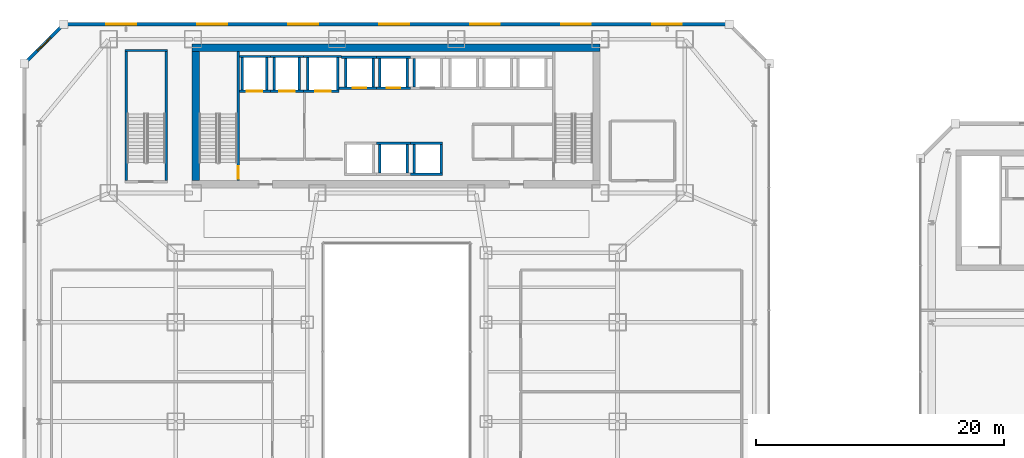
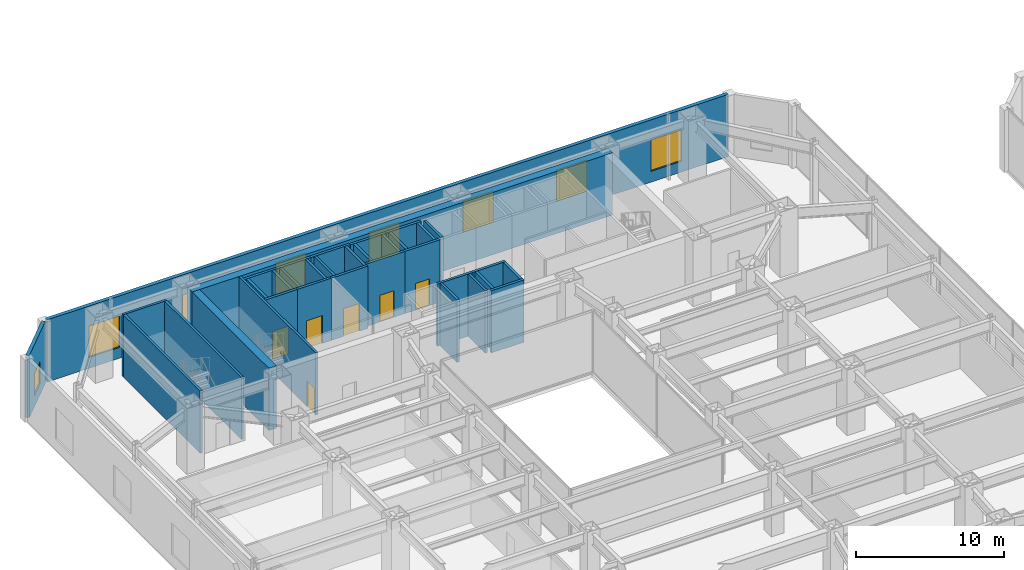
# One storey, part 44 of 53: 36 walls, 8 windows, 6 doors, 14 openings.
"""IFC4 building model written with IfcOpenShell, lengths in metres."""

import ifcopenshell
import ifcopenshell.guid

model = None  # the IFC model being written
_history = None  # IfcOwnerHistory: only IFC2X3 demands one
_inside = {}  # id of a spatial element -> (the spatial element, [elements in it])
_under = {}  # id of a project, library or spatial element -> (it, [spatial elements below it])
_declared = {}  # id of a project -> (the project, [libraries it declares])
_typed = {}  # id of a type object -> (the type object, [elements of that type])
_made_of = {}  # id of a material, layer set ... -> (it, [elements and type objects made of it])


def new_model(schema):
    """Start an empty IFC model of exactly this schema.

    Asked for "IFC4X3", IfcOpenShell would pick the latest addendum, in which some entities
    have other attributes; the version numbers below select the first issue.
    IFC2X3 requires an IfcOwnerHistory on every rooted entity: one is made here for all.
    """
    global model, _history
    if schema == "IFC4X3":
        model = ifcopenshell.file(schema_version=(4, 3, 0, 0))
    else:
        model = ifcopenshell.file(schema=schema)
    _inside.clear()
    _under.clear()
    _declared.clear()
    _typed.clear()
    _made_of.clear()
    _history = None
    if model.schema == "IFC2X3":
        org = make("IfcOrganization", Name="unknown")
        user = make(
            "IfcPersonAndOrganization",
            ThePerson=make("IfcPerson", FamilyName="unknown"),
            TheOrganization=org,
        )
        app = make(
            "IfcApplication",
            ApplicationDeveloper=org,
            Version="unknown",
            ApplicationFullName="unknown",
            ApplicationIdentifier="unknown",
        )
        _history = make(
            "IfcOwnerHistory",
            OwningUser=user,
            OwningApplication=app,
            ChangeAction="ADDED",
            CreationDate=0,
        )
    return model


def make(cls, **values):
    """One entity of the class cls with the attributes given. An attribute that is None is left unset."""
    return model.create_entity(
        cls, **{name: value for name, value in values.items() if value is not None}
    )


def rooted(cls, **values):
    """An entity with a GlobalId (a new one), such as an element, a storey or a relation."""
    return make(cls, GlobalId=ifcopenshell.guid.new(), OwnerHistory=_history, **values)


def si_unit(unit_type, name, prefix=None):
    """IfcSIUnit, for example si_unit("LENGTHUNIT", "METRE", prefix="MILLI")."""
    return make("IfcSIUnit", UnitType=unit_type, Prefix=prefix, Name=name)


def assignment(units):
    """IfcUnitAssignment: the units of a project."""
    return None if units is None else make("IfcUnitAssignment", Units=units)


def point(xyz):
    """IfcCartesianPoint."""
    return None if xyz is None else make("IfcCartesianPoint", Coordinates=xyz)


def direction(xyz):
    """IfcDirection."""
    return None if xyz is None else make("IfcDirection", DirectionRatios=xyz)


def frame(location, z_axis=None, x_axis=None):
    """IfcAxis2Placement3D, a coordinate frame: its origin and axes. An axis left out is left unset."""
    return make(
        "IfcAxis2Placement3D",
        Location=point(location),
        Axis=direction(z_axis),
        RefDirection=direction(x_axis),
    )


def frame_2d(location, x_axis=None):
    """IfcAxis2Placement2D, a coordinate frame in the plane: its origin and x axis."""
    return make(
        "IfcAxis2Placement2D", Location=point(location), RefDirection=direction(x_axis)
    )


def origin():
    """The frame at (0, 0, 0) with its axes left unset."""
    return frame((0.0, 0.0, 0.0))


def place(relative_to, where):
    """IfcLocalPlacement: puts the frame where relative to a parent placement (None: the world)."""
    return make(
        "IfcLocalPlacement", PlacementRelTo=relative_to, RelativePlacement=where
    )


def context(
    kind, dimensions, precision=None, world=None, true_north=None, identifier=None
):
    """IfcGeometricRepresentationContext, for example the 3D "Model" context."""
    return make(
        "IfcGeometricRepresentationContext",
        ContextIdentifier=identifier,
        ContextType=kind,
        CoordinateSpaceDimension=dimensions,
        Precision=precision,
        WorldCoordinateSystem=world,
        TrueNorth=true_north,
    )


def subcontext(parent, identifier, kind, view, scale=None):
    """IfcGeometricRepresentationSubContext, for example "Body" below "Model"."""
    return make(
        "IfcGeometricRepresentationSubContext",
        ContextIdentifier=identifier,
        ContextType=kind,
        ParentContext=parent,
        TargetScale=scale,
        TargetView=view,
    )


def project(units=None, contexts=None):
    """IfcProject with its units and contexts."""
    return rooted(
        "IfcProject",
        Name="project",
        RepresentationContexts=contexts,
        UnitsInContext=assignment(units),
    )


def spatial(cls, under=None, at=None, **own):
    """A site, building, storey or space (cls), placed at a placement, below another one or the project."""
    s = rooted(cls, ObjectPlacement=at, **own)
    if under is not None:
        _under.setdefault(under.id(), (under, []))[1].append(s)
    return s


def profile(cls, at=None, kind="AREA", **sizes):
    """A parametric profile (cls). Its sizes go by their IFC names, for example OverallWidth=200.0."""
    return make(cls, ProfileType=kind, Position=at, **sizes)


def rectangle(**sizes):
    """IfcRectangleProfileDef."""
    return profile("IfcRectangleProfileDef", **sizes)


def extrude(swept, where, along, depth):
    """IfcExtrudedAreaSolid: the profile swept, set in the frame where, extruded along a direction by depth."""
    return make(
        "IfcExtrudedAreaSolid",
        SweptArea=swept,
        Position=where,
        ExtrudedDirection=direction(along),
        Depth=depth,
    )


def shape(context_of_items, identifier, shape_type, items):
    """IfcShapeRepresentation: the items that make up one representation, for example the "Body"."""
    return make(
        "IfcShapeRepresentation",
        ContextOfItems=context_of_items,
        RepresentationIdentifier=identifier,
        RepresentationType=shape_type,
        Items=items,
    )


def material(Name=None, Category=None):
    """IfcMaterial."""
    return make("IfcMaterial", Name=Name, Category=Category)


def layer(
    of_material, thickness, ventilated=None, Name=None, Category=None, Priority=None
):
    """IfcMaterialLayer: one layer of a wall or slab, of a material (None: an air gap)."""
    return make(
        "IfcMaterialLayer",
        Material=of_material,
        LayerThickness=thickness,
        IsVentilated=ventilated,
        Name=Name,
        Category=Category,
        Priority=Priority,
    )


def layer_set(layers, Name=None):
    """IfcMaterialLayerSet."""
    return make("IfcMaterialLayerSet", MaterialLayers=layers, LayerSetName=Name)


def made_of(thing, what):
    """Note that an element or type object is made of a material, layer set ...; save() writes the relation."""
    if what is not None:
        _made_of.setdefault(what.id(), (what, []))[1].append(thing)
    return thing


def type_object(cls, material=None, **own):
    """A type object (cls), such as IfcWallType, which elements share."""
    return made_of(rooted(cls, **own), material)


def element(
    cls,
    number,
    at=None,
    inside=None,
    cuts=None,
    type_object=None,
    material=None,
    context=None,
    identifier="Body",
    shape_type=None,
    held_by="IfcProductDefinitionShape",
    body=None,
    shapes=None,
    **own,
):
    """One element of the class cls, such as IfcWall. Its Tag is "e" and its number.

    at: its placement. inside: the storey or other place that contains it. cuts: it is an
    opening in that element (IfcRelVoidsElement). A single representation is given by context,
    identifier, shape_type and body (its items); several are given by shapes. held_by: the class
    of the entity that holds the representations. save() writes the other relations.
    """
    e = rooted(cls, Tag="e%d" % number, ObjectPlacement=at, **own)
    if body is not None:
        shapes = [shape(context, identifier, shape_type, body)]
    if shapes is not None:
        e.Representation = make(held_by, Representations=shapes)
    if inside is not None:
        _inside.setdefault(inside.id(), (inside, []))[1].append(e)
    if cuts is not None:
        rooted(
            "IfcRelVoidsElement", RelatingBuildingElement=cuts, RelatedOpeningElement=e
        )
    if type_object is not None:
        _typed.setdefault(type_object.id(), (type_object, []))[1].append(e)
    return made_of(e, material)


def fill(opening, filler):
    """IfcRelFillsElement: the door or window that sits in an opening."""
    return rooted(
        "IfcRelFillsElement",
        RelatingOpeningElement=opening,
        RelatedBuildingElement=filler,
    )


def aggregate(whole, parts):
    """IfcRelAggregates: a whole, such as a stair, and the parts it consists of."""
    return rooted("IfcRelAggregates", RelatingObject=whole, RelatedObjects=parts)


def save(model, path):
    """Write the relations noted so far, then the file.

    IfcRelAggregates (storeys below a building ...), IfcRelContainedInSpatialStructure (elements
    in a storey), IfcRelDefinesByType, IfcRelAssociatesMaterial and IfcRelDeclares: one each for
    every whole, place, type object, material and project.
    """
    for whole, parts in _under.values():
        aggregate(whole, parts)
    for where, things in _inside.values():
        rooted(
            "IfcRelContainedInSpatialStructure",
            RelatedElements=things,
            RelatingStructure=where,
        )
    for kind, things in _typed.values():
        rooted("IfcRelDefinesByType", RelatedObjects=things, RelatingType=kind)
    for what, things in _made_of.values():
        rooted("IfcRelAssociatesMaterial", RelatedObjects=things, RelatingMaterial=what)
    for by, libraries in _declared.values():
        rooted("IfcRelDeclares", RelatingContext=by, RelatedDefinitions=libraries)
    model.write(path)


model = new_model("IFC4")

# Units and contexts
model_context = context("Model", 3, precision=1e-05, world=origin(), true_north=direction((0.0, 1.0)))
body_context = subcontext(model_context, "Body", "Model", "MODEL_VIEW")
ifc_project = project(units=[si_unit("LENGTHUNIT", "METRE"), si_unit("AREAUNIT", "SQUARE_METRE"), si_unit("VOLUMEUNIT", "CUBIC_METRE"), si_unit("PLANEANGLEUNIT", "RADIAN"), si_unit("MASSUNIT", "GRAM", prefix="KILO")], contexts=[model_context])

# Site, building, storey
site_placement = place(None, origin())
site = spatial("IfcSite", under=ifc_project, at=site_placement, CompositionType="ELEMENT")
building_placement = place(site_placement, origin())
building = spatial("IfcBuilding", under=site, at=building_placement, Name="Saevonmaru Cultural Tower", CompositionType="ELEMENT")
storey_placement = place(building_placement, frame((0.0, 0.0, 22.199951171875)))
storey = spatial("IfcBuildingStorey", under=building, at=storey_placement, Name="L04", CompositionType="ELEMENT", Elevation=22.199951171875)

# Walls
ifc_material_1 = material(Name="Concrete C60/75", Category="concrete")
ifc_layer_1 = layer(ifc_material_1, 0.60009765625, Name="Concrete C60/75")
ifc_layer_set_1 = layer_set([ifc_layer_1], Name="Concrete C60/75")
wall_type_1 = type_object("IfcWallType", Name="WL-CORE-600", PredefinedType="SHEAR", material=ifc_layer_set_1)
wall_1_placement = place(storey_placement, frame((13.5, 54.10009765625, 0.0), z_axis=(0.0, 0.0, 1.0), x_axis=(1.0, 0.0, 0.0)))
element("IfcWall", 1, at=wall_1_placement, inside=storey, type_object=wall_type_1, Name="L04 Tower RC core shear wall N", PredefinedType="SHEAR", context=body_context, shape_type="SweptSolid", body=[
    extrude(rectangle(XDim=32.89990234375, YDim=0.60009765625, at=frame_2d((16.449951171875, 0.0))), origin(), (0.0, 0.0, 1.0), 5.150146484375),
])
wall_2_placement = place(storey_placement, frame((13.800048828125, 43.39990234375, 0.0), z_axis=(0.0, 0.0, 1.0), x_axis=(0.0, 1.0, 0.0)))
element("IfcWall", 2, at=wall_2_placement, inside=storey, type_object=wall_type_1, Name="L04 Tower RC core shear wall W", PredefinedType="SHEAR", context=body_context, shape_type="SweptSolid", body=[
    extrude(rectangle(XDim=10.400146484375, YDim=0.60009765625, at=frame_2d((5.2001953125, 0.0))), origin(), (0.0, 0.0, 1.0), 5.150146484375),
])

# Wall, opening, window
ifc_material_2 = material(Name="Granite-Clad Precast Concrete C40/50", Category="masonry")
ifc_layer_2 = layer(ifc_material_2, 0.260009765625, Name="Granite-Clad Precast Concrete C40/50")
ifc_layer_set_2 = layer_set([ifc_layer_2], Name="Granite-Clad Precast Concrete C40/50")
wall_type_2 = type_object("IfcWallType", Name="WL-EXT-SPANDREL-260", PredefinedType="STANDARD", material=ifc_layer_set_2)
wall_3_placement = place(storey_placement, frame((3.0869140625, 55.886962890625, 0.0), z_axis=(0.0, 0.0, 1.0), x_axis=(-0.707106781187, -0.707106781187, 0.0)))
wall_3 = element("IfcWall", 3, at=wall_3_placement, inside=storey, type_object=wall_type_2, Name="L04 Podium Bronze-Granite Exterior Wall E7", PredefinedType="STANDARD", context=body_context, shape_type="SweptSolid", body=[
    extrude(rectangle(XDim=4.205810546875, YDim=0.260009765625, at=frame_2d((2.10302734375, 0.0))), origin(), (0.0, 0.0, 1.0), 5.150146484375),
])
opening_1_placement = place(wall_3_placement, frame((1.35302734375, 0.0, 0.89990234375)))
opening_1 = element("IfcOpeningElement", 4, at=opening_1_placement, cuts=wall_3, Name="Opening W-2B", PredefinedType="OPENING", context=body_context, shape_type="SweptSolid", body=[
    extrude(rectangle(XDim=1.5, YDim=1.85009765625, at=frame_2d((0.75, 0.925048828125))), frame((0.0, 0.14013671875, 0.0), z_axis=(0.0, -1.0, 0.0), x_axis=(1.0, 0.0, 0.0)), (0.0, 0.0, 1.0), 0.280029296875),
])
ifc_material_3 = material(Name="Satin Bronze Anodised Aluminium", Category="aluminium")
window_type_1 = type_object("IfcWindowType", Name="WN-DECO-1500x1850", PartitioningType="SINGLE_PANEL", PredefinedType="WINDOW", material=ifc_material_3)
window_1_placement = place(opening_1_placement, origin())
window_1 = element("IfcWindow", 5, at=window_1_placement, inside=storey, type_object=window_type_1, Name="L04 Chamfer Bay Window E7", OverallHeight=1.85009765625, OverallWidth=1.5, PartitioningType="SINGLE_PANEL", PredefinedType="WINDOW", context=body_context, shape_type="SweptSolid", body=[
    extrude(rectangle(XDim=1.5, YDim=1.85009765625, at=frame_2d((0.75, 0.925048828125))), frame((0.0, 0.030029296875, 0.0), z_axis=(0.0, -1.0, 0.0), x_axis=(1.0, 0.0, 0.0)), (0.0, 0.0, 1.0), 0.06005859375),
])
fill(opening_1, window_1)

# Wall, openings, windows
ifc_layer_3 = layer(ifc_material_2, 0.280029296875, Name="Granite-Clad Precast Concrete C40/50")
ifc_layer_set_3 = layer_set([ifc_layer_3], Name="Granite-Clad Precast Concrete C40/50")
wall_type_3 = type_object("IfcWallType", Name="WL-EXT-SPANDREL-280", PredefinedType="STANDARD", material=ifc_layer_set_3)
wall_4_placement = place(storey_placement, frame((56.639892578125, 56.0, 0.0), z_axis=(0.0, 0.0, 1.0), x_axis=(-1.0, 0.0, 0.0)))
wall_4 = element("IfcWall", 6, at=wall_4_placement, inside=storey, type_object=wall_type_3, Name="L04 Podium Bronze-Granite Exterior Wall E6", PredefinedType="STANDARD", context=body_context, shape_type="SweptSolid", body=[
    extrude(rectangle(XDim=53.27978515625, YDim=0.280029296875, at=frame_2d((26.639892578125, 0.0))), origin(), (0.0, 0.0, 1.0), 5.150146484375),
])
opening_2_placement = place(wall_4_placement, frame((3.6630859375, 0.0, 0.89990234375)))
opening_2 = element("IfcOpeningElement", 7, at=opening_2_placement, cuts=wall_4, Name="Opening W-1", PredefinedType="OPENING", context=body_context, shape_type="SweptSolid", body=[
    extrude(rectangle(XDim=2.39990234375, YDim=2.60009765625, at=frame_2d((1.199951171875, 1.300048828125))), frame((0.0, 0.14990234375, 0.0), z_axis=(0.0, -1.0, 0.0), x_axis=(1.0, 0.0, 0.0)), (0.0, 0.0, 1.0), 0.300048828125),
])
opening_3_placement = place(wall_4_placement, frame((10.989013671875, 0.0, 0.89990234375)))
opening_3 = element("IfcOpeningElement", 8, at=opening_3_placement, cuts=wall_4, Name="Opening W-1", PredefinedType="OPENING", context=body_context, shape_type="SweptSolid", body=[
    extrude(rectangle(XDim=2.39990234375, YDim=2.60009765625, at=frame_2d((1.199951171875, 1.300048828125))), frame((0.0, 0.14990234375, 0.0), z_axis=(0.0, -1.0, 0.0), x_axis=(1.0, 0.0, 0.0)), (0.0, 0.0, 1.0), 0.300048828125),
])
opening_4_placement = place(wall_4_placement, frame((18.31396484375, 0.0, 0.89990234375)))
opening_4 = element("IfcOpeningElement", 9, at=opening_4_placement, cuts=wall_4, Name="Opening W-1", PredefinedType="OPENING", context=body_context, shape_type="SweptSolid", body=[
    extrude(rectangle(XDim=2.39990234375, YDim=2.60009765625, at=frame_2d((1.199951171875, 1.300048828125))), frame((0.0, 0.14990234375, 0.0), z_axis=(0.0, -1.0, 0.0), x_axis=(1.0, 0.0, 0.0)), (0.0, 0.0, 1.0), 0.300048828125),
])
opening_5_placement = place(wall_4_placement, frame((25.639892578125, 0.0, 0.89990234375)))
opening_5 = element("IfcOpeningElement", 10, at=opening_5_placement, cuts=wall_4, Name="Opening W-1", PredefinedType="OPENING", context=body_context, shape_type="SweptSolid", body=[
    extrude(rectangle(XDim=2.39990234375, YDim=2.60009765625, at=frame_2d((1.199951171875, 1.300048828125))), frame((0.0, 0.14990234375, 0.0), z_axis=(0.0, -1.0, 0.0), x_axis=(1.0, 0.0, 0.0)), (0.0, 0.0, 1.0), 0.300048828125),
])
opening_6_placement = place(wall_4_placement, frame((32.966064453125, 0.0, 0.89990234375)))
opening_6 = element("IfcOpeningElement", 11, at=opening_6_placement, cuts=wall_4, Name="Opening W-1", PredefinedType="OPENING", context=body_context, shape_type="SweptSolid", body=[
    extrude(rectangle(XDim=2.39990234375, YDim=2.60009765625, at=frame_2d((1.199951171875, 1.300048828125))), frame((0.0, 0.14990234375, 0.0), z_axis=(0.0, -1.0, 0.0), x_axis=(1.0, 0.0, 0.0)), (0.0, 0.0, 1.0), 0.300048828125),
])
opening_7_placement = place(wall_4_placement, frame((40.291015625, 0.0, 0.89990234375)))
opening_7 = element("IfcOpeningElement", 12, at=opening_7_placement, cuts=wall_4, Name="Opening W-1", PredefinedType="OPENING", context=body_context, shape_type="SweptSolid", body=[
    extrude(rectangle(XDim=2.39990234375, YDim=2.60009765625, at=frame_2d((1.199951171875, 1.300048828125))), frame((0.0, 0.14990234375, 0.0), z_axis=(0.0, -1.0, 0.0), x_axis=(1.0, 0.0, 0.0)), (0.0, 0.0, 1.0), 0.300048828125),
])
opening_8_placement = place(wall_4_placement, frame((47.616943359375, 0.0, 0.89990234375)))
opening_8 = element("IfcOpeningElement", 13, at=opening_8_placement, cuts=wall_4, Name="Opening W-1", PredefinedType="OPENING", context=body_context, shape_type="SweptSolid", body=[
    extrude(rectangle(XDim=2.39990234375, YDim=2.60009765625, at=frame_2d((1.199951171875, 1.300048828125))), frame((0.0, 0.14990234375, 0.0), z_axis=(0.0, -1.0, 0.0), x_axis=(1.0, 0.0, 0.0)), (0.0, 0.0, 1.0), 0.300048828125),
])
window_type_2 = type_object("IfcWindowType", Name="WN-DECO-2400x2600", PartitioningType="DOUBLE_PANEL_VERTICAL", PredefinedType="WINDOW", material=ifc_material_3)
window_2_placement = place(opening_2_placement, origin())
window_2 = element("IfcWindow", 14, at=window_2_placement, inside=storey, type_object=window_type_2, Name="L04 Art Deco Bronze Window E6-1", OverallHeight=2.60009765625, OverallWidth=2.39990234375, PartitioningType="DOUBLE_PANEL_VERTICAL", PredefinedType="WINDOW", context=body_context, shape_type="SweptSolid", body=[
    extrude(rectangle(XDim=2.39990234375, YDim=2.60009765625, at=frame_2d((1.199951171875, 1.300048828125))), frame((0.0, 0.030029296875, 0.0), z_axis=(0.0, -1.0, 0.0), x_axis=(1.0, 0.0, 0.0)), (0.0, 0.0, 1.0), 0.06005859375),
])
fill(opening_2, window_2)
window_3_placement = place(opening_3_placement, origin())
window_3 = element("IfcWindow", 15, at=window_3_placement, inside=storey, type_object=window_type_2, Name="L04 Art Deco Bronze Window E6-2", OverallHeight=2.60009765625, OverallWidth=2.39990234375, PartitioningType="DOUBLE_PANEL_VERTICAL", PredefinedType="WINDOW", context=body_context, shape_type="SweptSolid", body=[
    extrude(rectangle(XDim=2.39990234375, YDim=2.60009765625, at=frame_2d((1.199951171875, 1.300048828125))), frame((0.0, 0.030029296875, 0.0), z_axis=(0.0, -1.0, 0.0), x_axis=(1.0, 0.0, 0.0)), (0.0, 0.0, 1.0), 0.06005859375),
])
fill(opening_3, window_3)
window_4_placement = place(opening_4_placement, origin())
window_4 = element("IfcWindow", 16, at=window_4_placement, inside=storey, type_object=window_type_2, Name="L04 Art Deco Bronze Window E6-3", OverallHeight=2.60009765625, OverallWidth=2.39990234375, PartitioningType="DOUBLE_PANEL_VERTICAL", PredefinedType="WINDOW", context=body_context, shape_type="SweptSolid", body=[
    extrude(rectangle(XDim=2.39990234375, YDim=2.60009765625, at=frame_2d((1.199951171875, 1.300048828125))), frame((0.0, 0.030029296875, 0.0), z_axis=(0.0, -1.0, 0.0), x_axis=(1.0, 0.0, 0.0)), (0.0, 0.0, 1.0), 0.06005859375),
])
fill(opening_4, window_4)
window_5_placement = place(opening_5_placement, origin())
window_5 = element("IfcWindow", 17, at=window_5_placement, inside=storey, type_object=window_type_2, Name="L04 Art Deco Bronze Window E6-4", OverallHeight=2.60009765625, OverallWidth=2.39990234375, PartitioningType="DOUBLE_PANEL_VERTICAL", PredefinedType="WINDOW", context=body_context, shape_type="SweptSolid", body=[
    extrude(rectangle(XDim=2.39990234375, YDim=2.60009765625, at=frame_2d((1.199951171875, 1.300048828125))), frame((0.0, 0.030029296875, 0.0), z_axis=(0.0, -1.0, 0.0), x_axis=(1.0, 0.0, 0.0)), (0.0, 0.0, 1.0), 0.06005859375),
])
fill(opening_5, window_5)
window_6_placement = place(opening_6_placement, origin())
window_6 = element("IfcWindow", 18, at=window_6_placement, inside=storey, type_object=window_type_2, Name="L04 Art Deco Bronze Window E6-5", OverallHeight=2.60009765625, OverallWidth=2.39990234375, PartitioningType="DOUBLE_PANEL_VERTICAL", PredefinedType="WINDOW", context=body_context, shape_type="SweptSolid", body=[
    extrude(rectangle(XDim=2.39990234375, YDim=2.60009765625, at=frame_2d((1.199951171875, 1.300048828125))), frame((0.0, 0.030029296875, 0.0), z_axis=(0.0, -1.0, 0.0), x_axis=(1.0, 0.0, 0.0)), (0.0, 0.0, 1.0), 0.06005859375),
])
fill(opening_6, window_6)
window_7_placement = place(opening_7_placement, origin())
window_7 = element("IfcWindow", 19, at=window_7_placement, inside=storey, type_object=window_type_2, Name="L04 Art Deco Bronze Window E6-6", OverallHeight=2.60009765625, OverallWidth=2.39990234375, PartitioningType="DOUBLE_PANEL_VERTICAL", PredefinedType="WINDOW", context=body_context, shape_type="SweptSolid", body=[
    extrude(rectangle(XDim=2.39990234375, YDim=2.60009765625, at=frame_2d((1.199951171875, 1.300048828125))), frame((0.0, 0.030029296875, 0.0), z_axis=(0.0, -1.0, 0.0), x_axis=(1.0, 0.0, 0.0)), (0.0, 0.0, 1.0), 0.06005859375),
])
fill(opening_7, window_7)
window_8_placement = place(opening_8_placement, origin())
window_8 = element("IfcWindow", 20, at=window_8_placement, inside=storey, type_object=window_type_2, Name="L04 Art Deco Bronze Window E6-7", OverallHeight=2.60009765625, OverallWidth=2.39990234375, PartitioningType="DOUBLE_PANEL_VERTICAL", PredefinedType="WINDOW", context=body_context, shape_type="SweptSolid", body=[
    extrude(rectangle(XDim=2.39990234375, YDim=2.60009765625, at=frame_2d((1.199951171875, 1.300048828125))), frame((0.0, 0.030029296875, 0.0), z_axis=(0.0, -1.0, 0.0), x_axis=(1.0, 0.0, 0.0)), (0.0, 0.0, 1.0), 0.06005859375),
])
fill(opening_8, window_8)

# Wall, opening, door
ifc_material_4 = material(Name="Concrete C40/50", Category="concrete")
ifc_layer_4 = layer(ifc_material_4, 0.199951171875, Name="Concrete C40/50")
ifc_layer_set_4 = layer_set([ifc_layer_4], Name="Concrete C40/50")
wall_type_4 = type_object("IfcWallType", Name="WL-SHAFT-200", PredefinedType="SHEAR", material=ifc_layer_set_4)
wall_5_placement = place(storey_placement, frame((17.330078125, 50.60009765625, 0.0), z_axis=(0.0, 0.0, 1.0), x_axis=(1.0, 0.0, 0.0)))
wall_5 = element("IfcWall", 21, at=wall_5_placement, inside=storey, type_object=wall_type_4, Name="L04 Lift FFL-1 Hoistway Wall S", PredefinedType="SHEAR", context=body_context, shape_type="SweptSolid", body=[
    extrude(rectangle(XDim=2.52001953125, YDim=0.199951171875, at=frame_2d((1.260009765625, 0.0))), origin(), (0.0, 0.0, 1.0), 5.150146484375),
])
opening_9_placement = place(wall_5_placement, frame((0.594970703125, 0.0, 0.0)))
opening_9 = element("IfcOpeningElement", 22, at=opening_9_placement, cuts=wall_5, Name="Opening LD-2", PredefinedType="OPENING", context=body_context, shape_type="SweptSolid", body=[
    extrude(rectangle(XDim=1.25, YDim=2.300048828125, at=frame_2d((0.625, 1.14990234375))), frame((0.0, 0.10986328125, 0.0), z_axis=(0.0, -1.0, 0.0), x_axis=(1.0, 0.0, 0.0)), (0.0, 0.0, 1.0), 0.219970703125),
])
ifc_material_5 = material(Name="Stainless Steel 316", Category="steel")
door_type_1 = type_object("IfcDoorType", Name="DR-LIFT-1250", OperationType="SLIDING_TO_LEFT", PredefinedType="DOOR", material=ifc_material_5)
door_1_placement = place(opening_9_placement, origin())
door_1 = element("IfcDoor", 23, at=door_1_placement, inside=storey, type_object=door_type_1, Name="L04 Lift FFL-1 Sliding Landing Door", OperationType="SLIDING_TO_LEFT", OverallHeight=2.300048828125, OverallWidth=1.25, PredefinedType="DOOR", context=body_context, shape_type="SweptSolid", body=[
    extrude(rectangle(XDim=1.25, YDim=2.300048828125, at=frame_2d((0.625, 1.14990234375))), frame((0.0, 0.02490234375, 0.0), z_axis=(0.0, -1.0, 0.0), x_axis=(1.0, 0.0, 0.0)), (0.0, 0.0, 1.0), 0.050048828125),
])
fill(opening_9, door_1)

# Walls
wall_6_placement = place(storey_placement, frame((17.330078125, 53.39990234375, 0.0), z_axis=(0.0, 0.0, 1.0), x_axis=(1.0, 0.0, 0.0)))
element("IfcWall", 24, at=wall_6_placement, inside=storey, type_object=wall_type_4, Name="L04 Lift FFL-1 Hoistway Wall N", PredefinedType="SHEAR", context=body_context, shape_type="SweptSolid", body=[
    extrude(rectangle(XDim=2.52001953125, YDim=0.199951171875, at=frame_2d((1.260009765625, 0.0))), origin(), (0.0, 0.0, 1.0), 5.150146484375),
])
for number, where, z_axis, x_axis, name in (
    (25, (17.550048828125, 50.699951171875, 0.0), (0.0, 0.0, 1.0), (0.0, 1.0, 0.0), "L04 Lift FFL-1 Hoistway Wall W"),
    (26, (19.550048828125, 50.699951171875, 0.0), (0.0, 0.0, 1.0), (0.0, 1.0, 0.0), "L04 Lift FFL-1 Hoistway Wall E"),
):
    element("IfcWall", number, at=place(storey_placement, frame(where, z_axis=z_axis, x_axis=x_axis)), inside=storey, type_object=wall_type_4, Name=name, PredefinedType="SHEAR", context=body_context, shape_type="SweptSolid", body=[
        extrude(rectangle(XDim=2.60009765625, YDim=0.199951171875, at=frame_2d((1.300048828125, 0.0))), origin(), (0.0, 0.0, 1.0), 5.150146484375),
    ])

# Wall, opening, door
wall_7_placement = place(storey_placement, frame((19.85009765625, 50.60009765625, 0.0), z_axis=(0.0, 0.0, 1.0), x_axis=(1.0, 0.0, 0.0)))
wall_7 = element("IfcWall", 27, at=wall_7_placement, inside=storey, type_object=wall_type_4, Name="L04 Lift FFL-2 Hoistway Wall S", PredefinedType="SHEAR", context=body_context, shape_type="SweptSolid", body=[
    extrude(rectangle(XDim=2.64990234375, YDim=0.199951171875, at=frame_2d((1.324951171875, 0.0))), origin(), (0.0, 0.0, 1.0), 5.150146484375),
])
opening_10_placement = place(wall_7_placement, frame((0.675048828125, 0.0, 0.0)))
opening_10 = element("IfcOpeningElement", 28, at=opening_10_placement, cuts=wall_7, Name="Opening LD-2", PredefinedType="OPENING", context=body_context, shape_type="SweptSolid", body=[
    extrude(rectangle(XDim=1.25, YDim=2.300048828125, at=frame_2d((0.625, 1.14990234375))), frame((0.0, 0.10986328125, 0.0), z_axis=(0.0, -1.0, 0.0), x_axis=(1.0, 0.0, 0.0)), (0.0, 0.0, 1.0), 0.219970703125),
])
door_2_placement = place(opening_10_placement, origin())
door_2 = element("IfcDoor", 29, at=door_2_placement, inside=storey, type_object=door_type_1, Name="L04 Lift FFL-2 Sliding Landing Door", OperationType="SLIDING_TO_LEFT", OverallHeight=2.300048828125, OverallWidth=1.25, PredefinedType="DOOR", context=body_context, shape_type="SweptSolid", body=[
    extrude(rectangle(XDim=1.25, YDim=2.300048828125, at=frame_2d((0.625, 1.14990234375))), frame((0.0, 0.02490234375, 0.0), z_axis=(0.0, -1.0, 0.0), x_axis=(1.0, 0.0, 0.0)), (0.0, 0.0, 1.0), 0.050048828125),
])
fill(opening_10, door_2)

# Walls
wall_8_placement = place(storey_placement, frame((19.85009765625, 53.39990234375, 0.0), z_axis=(0.0, 0.0, 1.0), x_axis=(1.0, 0.0, 0.0)))
element("IfcWall", 30, at=wall_8_placement, inside=storey, type_object=wall_type_4, Name="L04 Lift FFL-2 Hoistway Wall N", PredefinedType="SHEAR", context=body_context, shape_type="SweptSolid", body=[
    extrude(rectangle(XDim=2.64990234375, YDim=0.199951171875, at=frame_2d((1.324951171875, 0.0))), origin(), (0.0, 0.0, 1.0), 5.150146484375),
])
for number, where, z_axis, x_axis, name in (
    (31, (20.14990234375, 50.699951171875, 0.0), (0.0, 0.0, 1.0), (0.0, 1.0, 0.0), "L04 Lift FFL-2 Hoistway Wall W"),
    (32, (22.14990234375, 50.699951171875, 0.0), (0.0, 0.0, 1.0), (0.0, 1.0, 0.0), "L04 Lift FFL-2 Hoistway Wall E"),
):
    element("IfcWall", number, at=place(storey_placement, frame(where, z_axis=z_axis, x_axis=x_axis)), inside=storey, type_object=wall_type_4, Name=name, PredefinedType="SHEAR", context=body_context, shape_type="SweptSolid", body=[
        extrude(rectangle(XDim=2.60009765625, YDim=0.199951171875, at=frame_2d((1.300048828125, 0.0))), origin(), (0.0, 0.0, 1.0), 5.150146484375),
    ])

# Wall, opening, door
wall_9_placement = place(storey_placement, frame((22.5, 50.60009765625, 0.0), z_axis=(0.0, 0.0, 1.0), x_axis=(1.0, 0.0, 0.0)))
wall_9 = element("IfcWall", 33, at=wall_9_placement, inside=storey, type_object=wall_type_4, Name="L04 Lift GL-1 Hoistway Wall S", PredefinedType="SHEAR", context=body_context, shape_type="SweptSolid", body=[
    extrude(rectangle(XDim=2.85009765625, YDim=0.199951171875, at=frame_2d((1.425048828125, 0.0))), origin(), (0.0, 0.0, 1.0), 5.150146484375),
])
opening_11_placement = place(wall_9_placement, frame((0.925048828125, 0.0, 0.0)))
opening_11 = element("IfcOpeningElement", 34, at=opening_11_placement, cuts=wall_9, Name="Opening LD-2", PredefinedType="OPENING", context=body_context, shape_type="SweptSolid", body=[
    extrude(rectangle(XDim=1.25, YDim=2.300048828125, at=frame_2d((0.625, 1.14990234375))), frame((0.0, 0.10986328125, 0.0), z_axis=(0.0, -1.0, 0.0), x_axis=(1.0, 0.0, 0.0)), (0.0, 0.0, 1.0), 0.219970703125),
])
door_3_placement = place(opening_11_placement, origin())
door_3 = element("IfcDoor", 35, at=door_3_placement, inside=storey, type_object=door_type_1, Name="L04 Lift GL-1 Sliding Landing Door", OperationType="SLIDING_TO_LEFT", OverallHeight=2.300048828125, OverallWidth=1.25, PredefinedType="DOOR", context=body_context, shape_type="SweptSolid", body=[
    extrude(rectangle(XDim=1.25, YDim=2.300048828125, at=frame_2d((0.625, 1.14990234375))), frame((0.0, 0.02490234375, 0.0), z_axis=(0.0, -1.0, 0.0), x_axis=(1.0, 0.0, 0.0)), (0.0, 0.0, 1.0), 0.050048828125),
])
fill(opening_11, door_3)

# Walls
wall_10_placement = place(storey_placement, frame((22.5, 53.39990234375, 0.0), z_axis=(0.0, 0.0, 1.0), x_axis=(1.0, 0.0, 0.0)))
element("IfcWall", 36, at=wall_10_placement, inside=storey, type_object=wall_type_4, Name="L04 Lift GL-1 Hoistway Wall N", PredefinedType="SHEAR", context=body_context, shape_type="SweptSolid", body=[
    extrude(rectangle(XDim=3.074951171875, YDim=0.199951171875, at=frame_2d((1.53759765625, 0.0))), origin(), (0.0, 0.0, 1.0), 5.150146484375),
])
for number, where, z_axis, x_axis, name in (
    (37, (22.85009765625, 50.699951171875, 0.0), (0.0, 0.0, 1.0), (0.0, 1.0, 0.0), "L04 Lift GL-1 Hoistway Wall W"),
    (38, (25.25, 50.699951171875, 0.0), (0.0, 0.0, 1.0), (0.0, 1.0, 0.0), "L04 Lift GL-1 Hoistway Wall E"),
):
    element("IfcWall", number, at=place(storey_placement, frame(where, z_axis=z_axis, x_axis=x_axis)), inside=storey, type_object=wall_type_4, Name=name, PredefinedType="SHEAR", context=body_context, shape_type="SweptSolid", body=[
        extrude(rectangle(XDim=2.60009765625, YDim=0.199951171875, at=frame_2d((1.300048828125, 0.0))), origin(), (0.0, 0.0, 1.0), 5.150146484375),
    ])

# Wall, opening, door
wall_11_placement = place(storey_placement, frame((25.35009765625, 50.85009765625, 0.0), z_axis=(0.0, 0.0, 1.0), x_axis=(1.0, 0.0, 0.0)))
wall_11 = element("IfcWall", 39, at=wall_11_placement, inside=storey, type_object=wall_type_4, Name="L04 Lift PL-L1 Hoistway Wall S", PredefinedType="SHEAR", context=body_context, shape_type="SweptSolid", body=[
    extrude(rectangle(XDim=3.02490234375, YDim=0.199951171875, at=frame_2d((1.512451171875, 0.0))), origin(), (0.0, 0.0, 1.0), 5.150146484375),
])
opening_12_placement = place(wall_11_placement, frame((1.10009765625, 0.0, 0.0)))
opening_12 = element("IfcOpeningElement", 40, at=opening_12_placement, cuts=wall_11, Name="Opening LD-1", PredefinedType="OPENING", context=body_context, shape_type="SweptSolid", body=[
    extrude(rectangle(XDim=1.10009765625, YDim=2.199951171875, at=frame_2d((0.550048828125, 1.10009765625))), frame((0.0, 0.10986328125, 0.0), z_axis=(0.0, -1.0, 0.0), x_axis=(1.0, 0.0, 0.0)), (0.0, 0.0, 1.0), 0.219970703125),
])
ifc_material_6 = material(Name="Satin Bronze Stainless Steel", Category="steel")
door_type_2 = type_object("IfcDoorType", Name="DR-LIFT-1100", OperationType="SLIDING_TO_LEFT", PredefinedType="DOOR", material=ifc_material_6)
door_4_placement = place(opening_12_placement, origin())
door_4 = element("IfcDoor", 41, at=door_4_placement, inside=storey, type_object=door_type_2, Name="L04 Lift PL-L1 Sliding Landing Door", OperationType="SLIDING_TO_LEFT", OverallHeight=2.199951171875, OverallWidth=1.10009765625, PredefinedType="DOOR", context=body_context, shape_type="SweptSolid", body=[
    extrude(rectangle(XDim=1.10009765625, YDim=2.199951171875, at=frame_2d((0.550048828125, 1.10009765625))), frame((0.0, 0.02490234375, 0.0), z_axis=(0.0, -1.0, 0.0), x_axis=(1.0, 0.0, 0.0)), (0.0, 0.0, 1.0), 0.050048828125),
])
fill(opening_12, door_4)

# Walls
wall_12_placement = place(storey_placement, frame((25.574951171875, 53.35009765625, 0.0), z_axis=(0.0, 0.0, 1.0), x_axis=(1.0, 0.0, 0.0)))
element("IfcWall", 42, at=wall_12_placement, inside=storey, type_object=wall_type_4, Name="L04 Lift PL-L1 Hoistway Wall N", PredefinedType="SHEAR", context=body_context, shape_type="SweptSolid", body=[
    extrude(rectangle(XDim=2.800048828125, YDim=0.199951171875, at=frame_2d((1.39990234375, 0.0))), origin(), (0.0, 0.0, 1.0), 5.150146484375),
])
for number, where, z_axis, x_axis, name in (
    (43, (25.89990234375, 50.949951171875, 0.0), (0.0, 0.0, 1.0), (0.0, 1.0, 0.0), "L04 Lift PL-L1 Hoistway Wall W"),
    (44, (28.10009765625, 50.949951171875, 0.0), (0.0, 0.0, 1.0), (0.0, 1.0, 0.0), "L04 Lift PL-L1 Hoistway Wall E"),
):
    element("IfcWall", number, at=place(storey_placement, frame(where, z_axis=z_axis, x_axis=x_axis)), inside=storey, type_object=wall_type_4, Name=name, PredefinedType="SHEAR", context=body_context, shape_type="SweptSolid", body=[
        extrude(rectangle(XDim=2.300048828125, YDim=0.199951171875, at=frame_2d((1.14990234375, 0.0))), origin(), (0.0, 0.0, 1.0), 5.150146484375),
    ])

# Wall, opening, door
wall_13_placement = place(storey_placement, frame((28.375, 50.85009765625, 0.0), z_axis=(0.0, 0.0, 1.0), x_axis=(1.0, 0.0, 0.0)))
wall_13 = element("IfcWall", 45, at=wall_13_placement, inside=storey, type_object=wall_type_4, Name="L04 Lift PL-L2 Hoistway Wall S", PredefinedType="SHEAR", context=body_context, shape_type="SweptSolid", body=[
    extrude(rectangle(XDim=2.75, YDim=0.199951171875, at=frame_2d((1.375, 0.0))), origin(), (0.0, 0.0, 1.0), 5.150146484375),
])
opening_13_placement = place(wall_13_placement, frame((0.824951171875, 0.0, 0.0)))
opening_13 = element("IfcOpeningElement", 46, at=opening_13_placement, cuts=wall_13, Name="Opening LD-1", PredefinedType="OPENING", context=body_context, shape_type="SweptSolid", body=[
    extrude(rectangle(XDim=1.10009765625, YDim=2.199951171875, at=frame_2d((0.550048828125, 1.10009765625))), frame((0.0, 0.10986328125, 0.0), z_axis=(0.0, -1.0, 0.0), x_axis=(1.0, 0.0, 0.0)), (0.0, 0.0, 1.0), 0.219970703125),
])
door_5_placement = place(opening_13_placement, origin())
door_5 = element("IfcDoor", 47, at=door_5_placement, inside=storey, type_object=door_type_2, Name="L04 Lift PL-L2 Sliding Landing Door", OperationType="SLIDING_TO_LEFT", OverallHeight=2.199951171875, OverallWidth=1.10009765625, PredefinedType="DOOR", context=body_context, shape_type="SweptSolid", body=[
    extrude(rectangle(XDim=1.10009765625, YDim=2.199951171875, at=frame_2d((0.550048828125, 1.10009765625))), frame((0.0, 0.02490234375, 0.0), z_axis=(0.0, -1.0, 0.0), x_axis=(1.0, 0.0, 0.0)), (0.0, 0.0, 1.0), 0.050048828125),
])
fill(opening_13, door_5)

# Walls
wall_14_placement = place(storey_placement, frame((28.375, 53.35009765625, 0.0), z_axis=(0.0, 0.0, 1.0), x_axis=(1.0, 0.0, 0.0)))
element("IfcWall", 48, at=wall_14_placement, inside=storey, type_object=wall_type_4, Name="L04 Lift PL-L2 Hoistway Wall N", PredefinedType="SHEAR", context=body_context, shape_type="SweptSolid", body=[
    extrude(rectangle(XDim=2.75, YDim=0.199951171875, at=frame_2d((1.375, 0.0))), origin(), (0.0, 0.0, 1.0), 5.150146484375),
])
for number, where, z_axis, x_axis, name in (
    (49, (28.64990234375, 50.949951171875, 0.0), (0.0, 0.0, 1.0), (0.0, 1.0, 0.0), "L04 Lift PL-L2 Hoistway Wall W"),
    (50, (30.85009765625, 50.949951171875, 0.0), (0.0, 0.0, 1.0), (0.0, 1.0, 0.0), "L04 Lift PL-L2 Hoistway Wall E"),
    (51, (31.39990234375, 50.949951171875, 0.0), (0.0, 0.0, 1.0), (0.0, 1.0, 0.0), "L04 Lift PL-L3 Hoistway Wall W"),
):
    element("IfcWall", number, at=place(storey_placement, frame(where, z_axis=z_axis, x_axis=x_axis)), inside=storey, type_object=wall_type_4, Name=name, PredefinedType="SHEAR", context=body_context, shape_type="SweptSolid", body=[
        extrude(rectangle(XDim=2.300048828125, YDim=0.199951171875, at=frame_2d((1.14990234375, 0.0))), origin(), (0.0, 0.0, 1.0), 5.150146484375),
    ])
wall_15_placement = place(storey_placement, frame((28.375, 46.39990234375, 0.0), z_axis=(0.0, 0.0, 1.0), x_axis=(1.0, 0.0, 0.0)))
element("IfcWall", 52, at=wall_15_placement, inside=storey, type_object=wall_type_4, Name="L04 Lift PL-M2 Hoistway Wall N", PredefinedType="SHEAR", context=body_context, shape_type="SweptSolid", body=[
    extrude(rectangle(XDim=2.75, YDim=0.199951171875, at=frame_2d((1.375, 0.0))), origin(), (0.0, 0.0, 1.0), 5.150146484375),
])
for number, where, z_axis, x_axis, name in (
    (53, (28.64990234375, 44.0, 0.0), (0.0, 0.0, 1.0), (0.0, 1.0, 0.0), "L04 Lift PL-M2 Hoistway Wall W"),
    (54, (30.85009765625, 44.0, 0.0), (0.0, 0.0, 1.0), (0.0, 1.0, 0.0), "L04 Lift PL-M2 Hoistway Wall E"),
):
    element("IfcWall", number, at=place(storey_placement, frame(where, z_axis=z_axis, x_axis=x_axis)), inside=storey, type_object=wall_type_4, Name=name, PredefinedType="SHEAR", context=body_context, shape_type="SweptSolid", body=[
        extrude(rectangle(XDim=2.300048828125, YDim=0.199951171875, at=frame_2d((1.14990234375, 0.0))), origin(), (0.0, 0.0, 1.0), 5.150146484375),
    ])
for number, where, z_axis, x_axis, name in (
    (55, (31.125, 43.89990234375, 0.0), (0.0, 0.0, 1.0), (1.0, 0.0, 0.0), "L04 Lift PL-M3 Hoistway Wall S"),
    (56, (31.125, 46.39990234375, 0.0), (0.0, 0.0, 1.0), (1.0, 0.0, 0.0), "L04 Lift PL-M3 Hoistway Wall N"),
):
    element("IfcWall", number, at=place(storey_placement, frame(where, z_axis=z_axis, x_axis=x_axis)), inside=storey, type_object=wall_type_4, Name=name, PredefinedType="SHEAR", context=body_context, shape_type="SweptSolid", body=[
        extrude(rectangle(XDim=2.574951171875, YDim=0.199951171875, at=frame_2d((1.28759765625, 0.0))), origin(), (0.0, 0.0, 1.0), 5.150146484375),
    ])
for number, where, z_axis, x_axis, name in (
    (57, (31.39990234375, 44.0, 0.0), (0.0, 0.0, 1.0), (0.0, 1.0, 0.0), "L04 Lift PL-M3 Hoistway Wall W"),
    (58, (33.60009765625, 44.0, 0.0), (0.0, 0.0, 1.0), (0.0, 1.0, 0.0), "L04 Lift PL-M3 Hoistway Wall E"),
):
    element("IfcWall", number, at=place(storey_placement, frame(where, z_axis=z_axis, x_axis=x_axis)), inside=storey, type_object=wall_type_4, Name=name, PredefinedType="SHEAR", context=body_context, shape_type="SweptSolid", body=[
        extrude(rectangle(XDim=2.300048828125, YDim=0.199951171875, at=frame_2d((1.14990234375, 0.0))), origin(), (0.0, 0.0, 1.0), 5.150146484375),
    ])

# Wall, opening, door
ifc_layer_5 = layer(ifc_material_4, 0.179931640625, Name="Concrete C40/50")
ifc_layer_set_5 = layer_set([ifc_layer_5], Name="Concrete C40/50")
wall_type_5 = type_object("IfcWallType", Name="WL-STSHAFT-180", PredefinedType="SHEAR", material=ifc_layer_set_5)
wall_16_placement = place(storey_placement, frame((17.239990234375, 43.39990234375, 0.0), z_axis=(0.0, 0.0, 1.0), x_axis=(0.0, 1.0, 0.0)))
wall_16 = element("IfcWall", 59, at=wall_16_placement, inside=storey, type_object=wall_type_5, Name="L04 Stair ST-1 Structural Shaft Wall 1", PredefinedType="SHEAR", context=body_context, shape_type="SweptSolid", body=[
    extrude(rectangle(XDim=10.400146484375, YDim=0.179931640625, at=frame_2d((5.2001953125, 0.0))), origin(), (0.0, 0.0, 1.0), 5.150146484375),
])
opening_14_placement = place(wall_16_placement, frame((0.159912109375, 0.0, 0.0)))
opening_14 = element("IfcOpeningElement", 60, at=opening_14_placement, cuts=wall_16, Name="Opening FD-3", PredefinedType="OPENING", context=body_context, shape_type="SweptSolid", body=[
    extrude(rectangle(XDim=1.0, YDim=2.14990234375, at=frame_2d((0.5, 1.074951171875))), frame((0.0, 0.10009765625, 0.0), z_axis=(0.0, -1.0, 0.0), x_axis=(1.0, 0.0, 0.0)), (0.0, 0.0, 1.0), 0.199951171875),
])
door_type_3 = type_object("IfcDoorType", Name="DR-FD60-1000", OperationType="SINGLE_SWING_RIGHT", PredefinedType="DOOR", material=ifc_material_3)
door_6_placement = place(opening_14_placement, origin())
door_6 = element("IfcDoor", 61, at=door_6_placement, inside=storey, type_object=door_type_3, Name="L04 Protected Stair ST-1 Fire Door", OperationType="SINGLE_SWING_RIGHT", OverallHeight=2.14990234375, OverallWidth=1.0, PredefinedType="DOOR", context=body_context, shape_type="SweptSolid", body=[
    extrude(rectangle(XDim=1.0, YDim=2.14990234375, at=frame_2d((0.5, 1.074951171875))), frame((0.0, 0.02490234375, 0.0), z_axis=(0.0, -1.0, 0.0), x_axis=(1.0, 0.0, 0.0)), (0.0, 0.0, 1.0), 0.050048828125),
])
fill(opening_14, door_6)

# Walls
wall_17_placement = place(storey_placement, frame((11.43994140625, 43.39990234375, 0.0), z_axis=(0.0, 0.0, 1.0), x_axis=(0.0, 1.0, 0.0)))
element("IfcWall", 62, at=wall_17_placement, inside=storey, type_object=wall_type_5, Name="L04 Stair ST-3 Structural Shaft Wall 2", PredefinedType="SHEAR", context=body_context, shape_type="SweptSolid", body=[
    extrude(rectangle(XDim=10.400146484375, YDim=0.179931640625, at=frame_2d((5.2001953125, 0.0))), origin(), (0.0, 0.0, 1.0), 5.150146484375),
])
wall_18_placement = place(storey_placement, frame((11.530029296875, 53.889892578125, 0.0), z_axis=(0.0, 0.0, 1.0), x_axis=(-1.0, 0.0, 0.0)))
element("IfcWall", 63, at=wall_18_placement, inside=storey, type_object=wall_type_5, Name="L04 Stair ST-3 Structural Shaft Wall 3", PredefinedType="SHEAR", context=body_context, shape_type="SweptSolid", body=[
    extrude(rectangle(XDim=3.409912109375, YDim=0.179931640625, at=frame_2d((1.705078125, 0.0))), origin(), (0.0, 0.0, 1.0), 5.150146484375),
])
wall_19_placement = place(storey_placement, frame((8.2099609375, 53.800048828125, 0.0), z_axis=(0.0, 0.0, 1.0), x_axis=(0.0, -1.0, 0.0)))
element("IfcWall", 64, at=wall_19_placement, inside=storey, type_object=wall_type_5, Name="L04 Stair ST-3 Structural Shaft Wall 4", PredefinedType="SHEAR", context=body_context, shape_type="SweptSolid", body=[
    extrude(rectangle(XDim=10.400146484375, YDim=0.179931640625, at=frame_2d((5.2001953125, 0.0))), origin(), (0.0, 0.0, 1.0), 5.150146484375),
])

save(model, "model.ifc")
